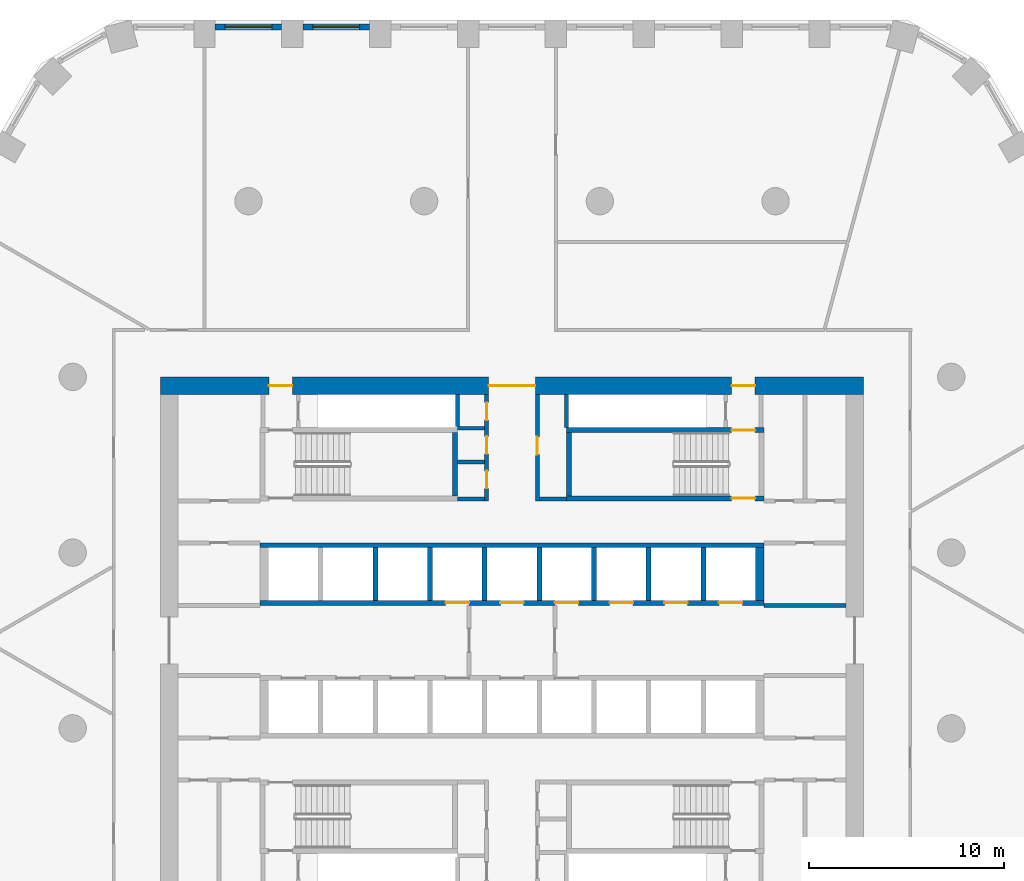
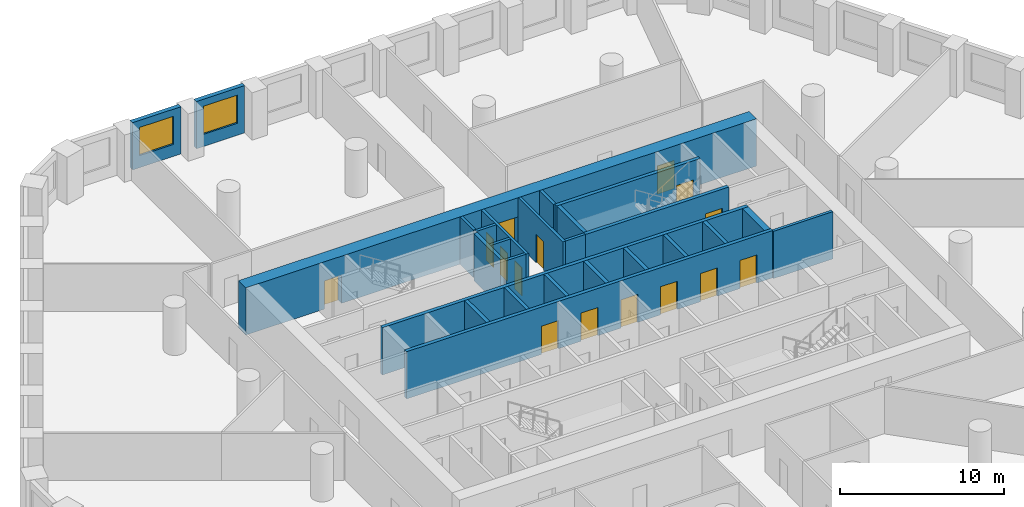
# One storey, part 6 of 10: 26 walls, 15 doors, 2 windows, 17 openings.
"""IFC4 building model written with IfcOpenShell, lengths in metres."""

from ifc_helpers import new_model, si_unit, direction, frame, frame_2d, origin, place, context, subcontext, project, spatial, polyline, rectangle, outline, extrude, material, layer, layer_set, type_object, element, fill, save


model = new_model("IFC4")

# Units and contexts
model_context = context("Model", 3, precision=1e-05, world=origin(), true_north=direction((0.0, 1.0)))
body_context = subcontext(model_context, "Body", "Model", "MODEL_VIEW")
ifc_project = project(units=[si_unit("LENGTHUNIT", "METRE"), si_unit("AREAUNIT", "SQUARE_METRE"), si_unit("VOLUMEUNIT", "CUBIC_METRE"), si_unit("PLANEANGLEUNIT", "RADIAN"), si_unit("MASSUNIT", "GRAM", prefix="KILO")], contexts=[model_context])

# Site, building, storey
site_placement = place(None, origin())
site = spatial("IfcSite", under=ifc_project, at=site_placement, CompositionType="ELEMENT")
building_placement = place(site_placement, origin())
building = spatial("IfcBuilding", under=site, at=building_placement, Name="Dhurran Vertical Campus", CompositionType="ELEMENT")
storey_placement = place(building_placement, frame((0.0, 0.0, 41.699951171875)))
storey = spatial("IfcBuildingStorey", under=building, at=storey_placement, Name="L09", CompositionType="ELEMENT", Elevation=41.699951171875)

# Wall, opening, window
ifc_material_1 = material(Name="Precast concrete C50/60", Category="concrete")
ifc_layer_1 = layer(ifc_material_1, 0.300048828125)
ifc_layer_set_1 = layer_set([ifc_layer_1], Name="Precast concrete C50/60")
wall_type_1 = type_object("IfcWallType", Name="Precast spandrel wall 300", PredefinedType="SOLIDWALL", material=ifc_layer_set_1)
wall_1_placement = place(storey_placement, frame((-7.300537109375, 31.4296875, 0.0), z_axis=(0.0, 0.0, 1.0), x_axis=(-1.0, 0.0, 0.0)))
wall_1 = element("IfcWall", 1, at=wall_1_placement, inside=storey, type_object=wall_type_1, Name="EW1 L09.32", PredefinedType="SOLIDWALL", context=body_context, shape_type="SweptSolid", body=[
    extrude(rectangle(XDim=3.39892578125, YDim=0.300048828125, at=frame_2d((1.699462890625, 0.0))), origin(), (0.0, 0.0, 1.0), 3.525146484375),
])
opening_1_placement = place(wall_1_placement, frame((0.49951171875, 0.0, 0.89990234375)))
opening_1 = element("IfcOpeningElement", 2, at=opening_1_placement, cuts=wall_1, Name="Opening WT1", PredefinedType="OPENING", context=body_context, shape_type="SweptSolid", body=[
    extrude(rectangle(XDim=2.39990234375, YDim=2.10009765625, at=frame_2d((1.199951171875, 1.050048828125))), frame((0.0, 0.159912109375, 0.0), z_axis=(0.0, -1.0, 0.0), x_axis=(1.0, 0.0, 0.0)), (0.0, 0.0, 1.0), 0.320068359375),
])
ifc_material_2 = material(Name="Aluminium frame with solar-control glass", Category="aluminium")
window_type = type_object("IfcWindowType", Name="Punched window 2400 x 2100", PartitioningType="SINGLE_PANEL", PredefinedType="WINDOW", material=ifc_material_2)
window_1_placement = place(opening_1_placement, origin())
window_1 = element("IfcWindow", 3, at=window_1_placement, inside=storey, type_object=window_type, Name="WT1 L09.32", OverallHeight=2.10009765625, OverallWidth=2.39990234375, PartitioningType="SINGLE_PANEL", PredefinedType="WINDOW", context=body_context, shape_type="SweptSolid", body=[
    extrude(rectangle(XDim=2.39990234375, YDim=2.10009765625, at=frame_2d((1.199951171875, 1.050048828125))), frame((0.0, 0.030029296875, 0.0), z_axis=(0.0, -1.0, 0.0), x_axis=(1.0, 0.0, 0.0)), (0.0, 0.0, 1.0), 0.06005859375),
])
fill(opening_1, window_1)

wall_2_placement = place(storey_placement, frame((-11.800537109375, 31.4296875, 0.0), z_axis=(0.0, 0.0, 1.0), x_axis=(-1.0, 0.0, 0.0)))
wall_2 = element("IfcWall", 4, at=wall_2_placement, inside=storey, type_object=wall_type_1, Name="EW1 L09.33", PredefinedType="SOLIDWALL", context=body_context, shape_type="SweptSolid", body=[
    extrude(rectangle(XDim=3.39892578125, YDim=0.300048828125, at=frame_2d((1.699462890625, 0.0))), origin(), (0.0, 0.0, 1.0), 3.525146484375),
])
opening_2_placement = place(wall_2_placement, frame((0.49951171875, 0.0, 0.89990234375)))
opening_2 = element("IfcOpeningElement", 5, at=opening_2_placement, cuts=wall_2, Name="Opening WT1", PredefinedType="OPENING", context=body_context, shape_type="SweptSolid", body=[
    extrude(rectangle(XDim=2.39990234375, YDim=2.10009765625, at=frame_2d((1.199951171875, 1.050048828125))), frame((0.0, 0.159912109375, 0.0), z_axis=(0.0, -1.0, 0.0), x_axis=(1.0, 0.0, 0.0)), (0.0, 0.0, 1.0), 0.320068359375),
])
window_2_placement = place(opening_2_placement, origin())
window_2 = element("IfcWindow", 6, at=window_2_placement, inside=storey, type_object=window_type, Name="WT1 L09.33", OverallHeight=2.10009765625, OverallWidth=2.39990234375, PartitioningType="SINGLE_PANEL", PredefinedType="WINDOW", context=body_context, shape_type="SweptSolid", body=[
    extrude(rectangle(XDim=2.39990234375, YDim=2.10009765625, at=frame_2d((1.199951171875, 1.050048828125))), frame((0.0, 0.030029296875, 0.0), z_axis=(0.0, -1.0, 0.0), x_axis=(1.0, 0.0, 0.0)), (0.0, 0.0, 1.0), 0.06005859375),
])
fill(opening_2, window_2)

# Wall, openings, doors
ifc_material_3 = material(Name="Concrete C60/75", Category="concrete")
ifc_layer_2 = layer(ifc_material_3, 0.89990234375)
ifc_layer_set_2 = layer_set([ifc_layer_2], Name="Concrete C60/75")
wall_type_2 = type_object("IfcWallType", Name="co-CORE-WALL-C0-900", PredefinedType="SHEAR", material=ifc_layer_set_2)
wall_3_placement = place(storey_placement, frame((-18.0, 13.050048828125, 0.0), z_axis=(0.0, 0.0, 1.0), x_axis=(1.0, 0.0, 0.0)))
wall_3 = element("IfcWall", 7, at=wall_3_placement, inside=storey, type_object=wall_type_2, Name="Core wall N L09", PredefinedType="SHEAR", context=body_context, shape_type="SweptSolid", body=[
    extrude(rectangle(XDim=36.0, YDim=0.89990234375, at=frame_2d((18.0, 0.0))), origin(), (0.0, 0.0, 1.0), 3.525146484375),
])
opening_3_placement = place(wall_3_placement, frame((16.800048828125, 0.0, 0.0)))
opening_3 = element("IfcOpeningElement", 8, at=opening_3_placement, cuts=wall_3, Name="Opening CV1", PredefinedType="OPENING", context=body_context, shape_type="SweptSolid", body=[
    extrude(rectangle(XDim=2.39990234375, YDim=2.10009765625, at=frame_2d((1.199951171875, 1.050048828125))), frame((0.0, 0.4599609375, 0.0), z_axis=(0.0, -1.0, 0.0), x_axis=(1.0, 0.0, 0.0)), (0.0, 0.0, 1.0), 0.919921875),
])
opening_4_placement = place(wall_3_placement, frame((5.550048828125, 0.0, 0.0)))
opening_4 = element("IfcOpeningElement", 9, at=opening_4_placement, cuts=wall_3, Name="Opening XD1", PredefinedType="OPENING", context=body_context, shape_type="SweptSolid", body=[
    extrude(rectangle(XDim=1.199951171875, YDim=2.10009765625, at=frame_2d((0.60009765625, 1.050048828125))), frame((0.0, 0.4599609375, 0.0), z_axis=(0.0, -1.0, 0.0), x_axis=(1.0, 0.0, 0.0)), (0.0, 0.0, 1.0), 0.919921875),
])
opening_5_placement = place(wall_3_placement, frame((29.25, 0.0, 0.0)))
opening_5 = element("IfcOpeningElement", 10, at=opening_5_placement, cuts=wall_3, Name="Opening XD2", PredefinedType="OPENING", context=body_context, shape_type="SweptSolid", body=[
    extrude(rectangle(XDim=1.199951171875, YDim=2.10009765625, at=frame_2d((0.60009765625, 1.050048828125))), frame((0.0, 0.4599609375, 0.0), z_axis=(0.0, -1.0, 0.0), x_axis=(1.0, 0.0, 0.0)), (0.0, 0.0, 1.0), 0.919921875),
])
ifc_material_4 = material(Name="Fire-rated glazed door set")
door_type_1 = type_object("IfcDoorType", Name="co-D-LOBBY 2400x2100", OperationType="DOUBLE_DOOR_DOUBLE_SWING", PredefinedType="DOOR", material=ifc_material_4)
door_1_placement = place(opening_3_placement, origin())
door_1 = element("IfcDoor", 11, at=door_1_placement, inside=storey, type_object=door_type_1, Name="Core vestibule door N L09", OperationType="DOUBLE_DOOR_DOUBLE_SWING", OverallHeight=2.10009765625, OverallWidth=2.39990234375, PredefinedType="DOOR", context=body_context, shape_type="SweptSolid", body=[
    extrude(rectangle(XDim=2.39990234375, YDim=2.10009765625, at=frame_2d((1.199951171875, 1.050048828125))), frame((0.0, 0.02490234375, 0.0), z_axis=(0.0, -1.0, 0.0), x_axis=(1.0, 0.0, 0.0)), (0.0, 0.0, 1.0), 0.050048828125),
])
fill(opening_3, door_1)
ifc_material_5 = material(Name="Fire-rated steel door set", Category="steel")
door_type_2 = type_object("IfcDoorType", Name="co-D-STAIR-EXIT 1200x2100", OperationType="SINGLE_SWING_RIGHT", PredefinedType="DOOR", material=ifc_material_5)
door_2_placement = place(opening_4_placement, origin())
door_2 = element("IfcDoor", 12, at=door_2_placement, inside=storey, type_object=door_type_2, Name="Stair ST1 exit door L09", OperationType="SINGLE_SWING_RIGHT", OverallHeight=2.10009765625, OverallWidth=1.199951171875, PredefinedType="DOOR", context=body_context, shape_type="SweptSolid", body=[
    extrude(rectangle(XDim=1.199951171875, YDim=2.10009765625, at=frame_2d((0.60009765625, 1.050048828125))), frame((0.0, 0.02490234375, 0.0), z_axis=(0.0, -1.0, 0.0), x_axis=(1.0, 0.0, 0.0)), (0.0, 0.0, 1.0), 0.050048828125),
])
fill(opening_4, door_2)
door_3_placement = place(opening_5_placement, origin())
door_3 = element("IfcDoor", 13, at=door_3_placement, inside=storey, type_object=door_type_2, Name="Stair ST2 exit door L09", OperationType="SINGLE_SWING_RIGHT", OverallHeight=2.10009765625, OverallWidth=1.199951171875, PredefinedType="DOOR", context=body_context, shape_type="SweptSolid", body=[
    extrude(rectangle(XDim=1.199951171875, YDim=2.10009765625, at=frame_2d((0.60009765625, 1.050048828125))), frame((0.0, 0.02490234375, 0.0), z_axis=(0.0, -1.0, 0.0), x_axis=(1.0, 0.0, 0.0)), (0.0, 0.0, 1.0), 0.050048828125),
])
fill(opening_5, door_3)

# Walls
ifc_material_6 = material(Name="Fire-rated masonry blockwork", Category="masonry")
ifc_layer_3 = layer(ifc_material_6, 0.199951171875)
ifc_layer_set_3 = layer_set([ifc_layer_3], Name="Fire-rated masonry blockwork")
wall_type_3 = type_object("IfcWallType", Name="co-FIRE-PARTITION-200", PredefinedType="PARTITIONING", material=ifc_layer_set_3)
for number, where, z_axis, x_axis, name in (
    (14, (-2.800048828125, 7.25, 0.0), (0.0, 0.0, 1.0), (1.0, 0.0, 0.0), "Core partition sl-NW-S L09"),
    (15, (-2.800048828125, 9.135009765625, 0.0), (0.0, 0.0, 1.0), (1.0, 0.0, 0.0), "Core partition sl-NW-cut0 L09"),
    (16, (-2.800048828125, 10.867431640625, 0.0), (0.0, 0.0, 1.0), (1.0, 0.0, 0.0), "Core partition sl-NW-cut1 L09"),
    (17, (1.39990234375, 7.25, 0.0), (0.0, 0.0, 1.0), (1.0, 0.0, 0.0), "Core partition sl-NE-S L09"),
):
    element("IfcWall", number, at=place(storey_placement, frame(where, z_axis=z_axis, x_axis=x_axis)), inside=storey, type_object=wall_type_3, Name=name, PredefinedType="PARTITIONING", context=body_context, shape_type="SweptSolid", body=[
        extrude(rectangle(XDim=1.400146484375, YDim=0.199951171875, at=frame_2d((0.7001953125, 0.0))), origin(), (0.0, 0.0, 1.0), 3.525146484375),
    ])

# Wall, openings, doors
wall_4_placement = place(storey_placement, frame((-1.300048828125, 7.14990234375, 0.0), z_axis=(0.0, 0.0, 1.0), x_axis=(0.0, 1.0, 0.0)))
wall_4 = element("IfcWall", 18, at=wall_4_placement, inside=storey, type_object=wall_type_3, Name="Core partition vest-NW L09", PredefinedType="PARTITIONING", context=body_context, shape_type="SweptSolid", body=[
    extrude(rectangle(XDim=5.4501953125, YDim=0.199951171875, at=frame_2d((2.72509765625, 0.0))), origin(), (0.0, 0.0, 1.0), 3.525146484375),
])
opening_6_placement = place(wall_4_placement, frame((0.642578125, 0.0, 0.0)))
opening_6 = element("IfcOpeningElement", 19, at=opening_6_placement, cuts=wall_4, Name="Opening T02-C6", PredefinedType="OPENING", context=body_context, shape_type="SweptSolid", body=[
    extrude(rectangle(XDim=0.89990234375, YDim=2.10009765625, at=frame_2d((0.449951171875, 1.050048828125))), frame((0.0, 0.10986328125, 0.0), z_axis=(0.0, -1.0, 0.0), x_axis=(1.0, 0.0, 0.0)), (0.0, 0.0, 1.0), 0.219970703125),
])
opening_7_placement = place(wall_4_placement, frame((2.401123046875, 0.0, 0.0)))
opening_7 = element("IfcOpeningElement", 20, at=opening_7_placement, cuts=wall_4, Name="Opening T02-C7", PredefinedType="OPENING", context=body_context, shape_type="SweptSolid", body=[
    extrude(rectangle(XDim=0.89990234375, YDim=2.10009765625, at=frame_2d((0.449951171875, 1.050048828125))), frame((0.0, 0.10986328125, 0.0), z_axis=(0.0, -1.0, 0.0), x_axis=(1.0, 0.0, 0.0)), (0.0, 0.0, 1.0), 0.219970703125),
])
opening_8_placement = place(wall_4_placement, frame((4.1337890625, 0.0, 0.0)))
opening_8 = element("IfcOpeningElement", 21, at=opening_8_placement, cuts=wall_4, Name="Opening T02-C8", PredefinedType="OPENING", context=body_context, shape_type="SweptSolid", body=[
    extrude(rectangle(XDim=0.89990234375, YDim=2.10009765625, at=frame_2d((0.449951171875, 1.050048828125))), frame((0.0, 0.10986328125, 0.0), z_axis=(0.0, -1.0, 0.0), x_axis=(1.0, 0.0, 0.0)), (0.0, 0.0, 1.0), 0.219970703125),
])
ifc_material_7 = material(Name="Fire-rated timber door set", Category="wood")
door_type_3 = type_object("IfcDoorType", Name="co-D-ROOM 900x2100", OperationType="SINGLE_SWING_LEFT", PredefinedType="DOOR", material=ifc_material_7)
door_4_placement = place(opening_6_placement, origin())
door_4 = element("IfcDoor", 22, at=door_4_placement, inside=storey, type_object=door_type_3, Name="Waste room door L09", OperationType="SINGLE_SWING_LEFT", OverallHeight=2.10009765625, OverallWidth=0.89990234375, PredefinedType="DOOR", context=body_context, shape_type="SweptSolid", body=[
    extrude(rectangle(XDim=0.89990234375, YDim=2.10009765625, at=frame_2d((0.449951171875, 1.050048828125))), frame((0.0, 0.02490234375, 0.0), z_axis=(0.0, -1.0, 0.0), x_axis=(1.0, 0.0, 0.0)), (0.0, 0.0, 1.0), 0.050048828125),
])
fill(opening_6, door_4)
door_5_placement = place(opening_7_placement, origin())
door_5 = element("IfcDoor", 23, at=door_5_placement, inside=storey, type_object=door_type_3, Name="Pantry door L09", OperationType="SINGLE_SWING_LEFT", OverallHeight=2.10009765625, OverallWidth=0.89990234375, PredefinedType="DOOR", context=body_context, shape_type="SweptSolid", body=[
    extrude(rectangle(XDim=0.89990234375, YDim=2.10009765625, at=frame_2d((0.449951171875, 1.050048828125))), frame((0.0, 0.02490234375, 0.0), z_axis=(0.0, -1.0, 0.0), x_axis=(1.0, 0.0, 0.0)), (0.0, 0.0, 1.0), 0.050048828125),
])
fill(opening_7, door_5)
door_6_placement = place(opening_8_placement, origin())
door_6 = element("IfcDoor", 24, at=door_6_placement, inside=storey, type_object=door_type_3, Name="Cleaner's store door L09", OperationType="SINGLE_SWING_LEFT", OverallHeight=2.10009765625, OverallWidth=0.89990234375, PredefinedType="DOOR", context=body_context, shape_type="SweptSolid", body=[
    extrude(rectangle(XDim=0.89990234375, YDim=2.10009765625, at=frame_2d((0.449951171875, 1.050048828125))), frame((0.0, 0.02490234375, 0.0), z_axis=(0.0, -1.0, 0.0), x_axis=(1.0, 0.0, 0.0)), (0.0, 0.0, 1.0), 0.050048828125),
])
fill(opening_8, door_6)

# Wall, opening, door
wall_5_placement = place(storey_placement, frame((1.300048828125, 7.14990234375, 0.0), z_axis=(0.0, 0.0, 1.0), x_axis=(0.0, 1.0, 0.0)))
wall_5 = element("IfcWall", 25, at=wall_5_placement, inside=storey, type_object=wall_type_3, Name="Core partition vest-NE L09", PredefinedType="PARTITIONING", context=body_context, shape_type="SweptSolid", body=[
    extrude(rectangle(XDim=5.4501953125, YDim=0.199951171875, at=frame_2d((2.72509765625, 0.0))), origin(), (0.0, 0.0, 1.0), 3.525146484375),
])
opening_9_placement = place(wall_5_placement, frame((2.375, 0.0, 0.0)))
opening_9 = element("IfcOpeningElement", 26, at=opening_9_placement, cuts=wall_5, Name="Opening T02-C9", PredefinedType="OPENING", context=body_context, shape_type="SweptSolid", body=[
    extrude(rectangle(XDim=0.89990234375, YDim=2.10009765625, at=frame_2d((0.449951171875, 1.050048828125))), frame((0.0, 0.10986328125, 0.0), z_axis=(0.0, -1.0, 0.0), x_axis=(1.0, 0.0, 0.0)), (0.0, 0.0, 1.0), 0.219970703125),
])
door_7_placement = place(opening_9_placement, origin())
door_7 = element("IfcDoor", 27, at=door_7_placement, inside=storey, type_object=door_type_3, Name="Fire equipment store door L09", OperationType="SINGLE_SWING_LEFT", OverallHeight=2.10009765625, OverallWidth=0.89990234375, PredefinedType="DOOR", context=body_context, shape_type="SweptSolid", body=[
    extrude(rectangle(XDim=0.89990234375, YDim=2.10009765625, at=frame_2d((0.449951171875, 1.050048828125))), frame((0.0, 0.02490234375, 0.0), z_axis=(0.0, -1.0, 0.0), x_axis=(1.0, 0.0, 0.0)), (0.0, 0.0, 1.0), 0.050048828125),
])
fill(opening_9, door_7)

# Walls
wall_6_placement = place(storey_placement, frame((12.89990234375, 1.800048828125, 0.0), z_axis=(0.0, 0.0, 1.0), x_axis=(1.0, 0.0, 0.0)))
element("IfcWall", 28, at=wall_6_placement, inside=storey, type_object=wall_type_3, Name="Core partition es-NE-l L09", PredefinedType="PARTITIONING", context=body_context, shape_type="SweptSolid", body=[
    extrude(rectangle(XDim=4.2001953125, YDim=0.199951171875, at=frame_2d((2.10009765625, 0.0))), origin(), (0.0, 0.0, 1.0), 3.525146484375),
])
wall_7_placement = place(storey_placement, frame((-2.800048828125, 10.968505859375, 0.0), z_axis=(0.0, 0.0, 1.0), x_axis=(0.0, 1.0, 0.0)))
element("IfcWall", 29, at=wall_7_placement, inside=storey, type_object=wall_type_3, Name="Riser enclosure wall L09", PredefinedType="PARTITIONING", context=body_context, shape_type="SweptSolid", body=[
    extrude(rectangle(XDim=1.630615234375, YDim=0.199951171875, at=frame_2d((0.8154296875, 0.0))), origin(), (0.0, 0.0, 1.0), 3.525146484375),
])
wall_8_placement = place(storey_placement, frame((2.800048828125, 12.59912109375, 0.0), z_axis=(0.0, 0.0, 1.0), x_axis=(0.0, -1.0, 0.0)))
element("IfcWall", 30, at=wall_8_placement, inside=storey, type_object=wall_type_3, Name="Riser enclosure wall L09", PredefinedType="PARTITIONING", context=body_context, shape_type="SweptSolid", body=[
    extrude(rectangle(XDim=1.6982421875, YDim=0.199951171875, at=frame_2d((0.84912109375, 0.0))), origin(), (0.0, 0.0, 1.0), 3.525146484375),
])

# Wall, openings, doors
ifc_material_8 = material(Name="Concrete C50/60", Category="concrete")
ifc_layer_4 = layer(ifc_material_8, 0.25)
ifc_layer_set_4 = layer_set([ifc_layer_4], Name="Concrete C50/60")
wall_type_4 = type_object("IfcWallType", Name="co-SHAFT-FRONT-250", PredefinedType="SHEAR", material=ifc_layer_set_4)
wall_9_placement = place(storey_placement, frame((-12.89990234375, 1.925048828125, 0.0), z_axis=(0.0, 0.0, 1.0), x_axis=(1.0, 0.0, 0.0)))
wall_9 = element("IfcWall", 31, at=wall_9_placement, inside=storey, type_object=wall_type_4, Name="Lift landing wall N L09", PredefinedType="SHEAR", context=body_context, shape_type="SweptSolid", body=[
    extrude(rectangle(XDim=25.7998046875, YDim=0.25, at=frame_2d((12.89990234375, 0.0))), origin(), (0.0, 0.0, 1.0), 3.525146484375),
])
opening_10_placement = place(wall_9_placement, frame((9.5, 0.0, 0.0)))
opening_10 = element("IfcOpeningElement", 32, at=opening_10_placement, cuts=wall_9, Name="Opening LD", PredefinedType="OPENING", context=body_context, shape_type="SweptSolid", body=[
    extrude(rectangle(XDim=1.199951171875, YDim=2.10009765625, at=frame_2d((0.60009765625, 1.050048828125))), frame((0.0, 0.135009765625, 0.0), z_axis=(0.0, -1.0, 0.0), x_axis=(1.0, 0.0, 0.0)), (0.0, 0.0, 1.0), 0.27001953125),
])
opening_11_placement = place(wall_9_placement, frame((12.300048828125, 0.0, 0.0)))
opening_11 = element("IfcOpeningElement", 33, at=opening_11_placement, cuts=wall_9, Name="Opening LD", PredefinedType="OPENING", context=body_context, shape_type="SweptSolid", body=[
    extrude(rectangle(XDim=1.199951171875, YDim=2.10009765625, at=frame_2d((0.60009765625, 1.050048828125))), frame((0.0, 0.135009765625, 0.0), z_axis=(0.0, -1.0, 0.0), x_axis=(1.0, 0.0, 0.0)), (0.0, 0.0, 1.0), 0.27001953125),
])
opening_12_placement = place(wall_9_placement, frame((15.10009765625, 0.0, 0.0)))
opening_12 = element("IfcOpeningElement", 34, at=opening_12_placement, cuts=wall_9, Name="Opening LD", PredefinedType="OPENING", context=body_context, shape_type="SweptSolid", body=[
    extrude(rectangle(XDim=1.199951171875, YDim=2.10009765625, at=frame_2d((0.60009765625, 1.050048828125))), frame((0.0, 0.135009765625, 0.0), z_axis=(0.0, -1.0, 0.0), x_axis=(1.0, 0.0, 0.0)), (0.0, 0.0, 1.0), 0.27001953125),
])
opening_13_placement = place(wall_9_placement, frame((17.89990234375, 0.0, 0.0)))
opening_13 = element("IfcOpeningElement", 35, at=opening_13_placement, cuts=wall_9, Name="Opening LD", PredefinedType="OPENING", context=body_context, shape_type="SweptSolid", body=[
    extrude(rectangle(XDim=1.199951171875, YDim=2.10009765625, at=frame_2d((0.60009765625, 1.050048828125))), frame((0.0, 0.135009765625, 0.0), z_axis=(0.0, -1.0, 0.0), x_axis=(1.0, 0.0, 0.0)), (0.0, 0.0, 1.0), 0.27001953125),
])
opening_14_placement = place(wall_9_placement, frame((20.699951171875, 0.0, 0.0)))
opening_14 = element("IfcOpeningElement", 36, at=opening_14_placement, cuts=wall_9, Name="Opening LD", PredefinedType="OPENING", context=body_context, shape_type="SweptSolid", body=[
    extrude(rectangle(XDim=1.199951171875, YDim=2.10009765625, at=frame_2d((0.60009765625, 1.050048828125))), frame((0.0, 0.135009765625, 0.0), z_axis=(0.0, -1.0, 0.0), x_axis=(1.0, 0.0, 0.0)), (0.0, 0.0, 1.0), 0.27001953125),
])
opening_15_placement = place(wall_9_placement, frame((23.5, 0.0, 0.0)))
opening_15 = element("IfcOpeningElement", 37, at=opening_15_placement, cuts=wall_9, Name="Opening LD", PredefinedType="OPENING", context=body_context, shape_type="SweptSolid", body=[
    extrude(rectangle(XDim=1.199951171875, YDim=2.10009765625, at=frame_2d((0.60009765625, 1.050048828125))), frame((0.0, 0.135009765625, 0.0), z_axis=(0.0, -1.0, 0.0), x_axis=(1.0, 0.0, 0.0)), (0.0, 0.0, 1.0), 0.27001953125),
])
ifc_material_9 = material(Name="Stainless steel landing door", Category="steel")
door_type_4 = type_object("IfcDoorType", Name="co-D-LANDING 1200x2100", OperationType="DOUBLE_DOOR_SLIDING", PredefinedType="DOOR", material=ifc_material_9)
door_8_placement = place(opening_10_placement, origin())
door_8 = element("IfcDoor", 38, at=door_8_placement, inside=storey, type_object=door_type_4, Name="Landing door LR1 L09", OperationType="DOUBLE_DOOR_SLIDING", OverallHeight=2.10009765625, OverallWidth=1.199951171875, PredefinedType="DOOR", context=body_context, shape_type="SweptSolid", body=[
    extrude(rectangle(XDim=1.199951171875, YDim=2.10009765625, at=frame_2d((0.60009765625, 1.050048828125))), frame((0.0, 0.02490234375, 0.0), z_axis=(0.0, -1.0, 0.0), x_axis=(1.0, 0.0, 0.0)), (0.0, 0.0, 1.0), 0.050048828125),
])
fill(opening_10, door_8)
door_9_placement = place(opening_11_placement, origin())
door_9 = element("IfcDoor", 39, at=door_9_placement, inside=storey, type_object=door_type_4, Name="Landing door FF1 L09", OperationType="DOUBLE_DOOR_SLIDING", OverallHeight=2.10009765625, OverallWidth=1.199951171875, PredefinedType="DOOR", context=body_context, shape_type="SweptSolid", body=[
    extrude(rectangle(XDim=1.199951171875, YDim=2.10009765625, at=frame_2d((0.60009765625, 1.050048828125))), frame((0.0, 0.02490234375, 0.0), z_axis=(0.0, -1.0, 0.0), x_axis=(1.0, 0.0, 0.0)), (0.0, 0.0, 1.0), 0.050048828125),
])
fill(opening_11, door_9)
door_10_placement = place(opening_12_placement, origin())
door_10 = element("IfcDoor", 40, at=door_10_placement, inside=storey, type_object=door_type_4, Name="Landing door LR2 L09", OperationType="DOUBLE_DOOR_SLIDING", OverallHeight=2.10009765625, OverallWidth=1.199951171875, PredefinedType="DOOR", context=body_context, shape_type="SweptSolid", body=[
    extrude(rectangle(XDim=1.199951171875, YDim=2.10009765625, at=frame_2d((0.60009765625, 1.050048828125))), frame((0.0, 0.02490234375, 0.0), z_axis=(0.0, -1.0, 0.0), x_axis=(1.0, 0.0, 0.0)), (0.0, 0.0, 1.0), 0.050048828125),
])
fill(opening_12, door_10)
door_11_placement = place(opening_13_placement, origin())
door_11 = element("IfcDoor", 41, at=door_11_placement, inside=storey, type_object=door_type_4, Name="Landing door LR3 L09", OperationType="DOUBLE_DOOR_SLIDING", OverallHeight=2.10009765625, OverallWidth=1.199951171875, PredefinedType="DOOR", context=body_context, shape_type="SweptSolid", body=[
    extrude(rectangle(XDim=1.199951171875, YDim=2.10009765625, at=frame_2d((0.60009765625, 1.050048828125))), frame((0.0, 0.02490234375, 0.0), z_axis=(0.0, -1.0, 0.0), x_axis=(1.0, 0.0, 0.0)), (0.0, 0.0, 1.0), 0.050048828125),
])
fill(opening_13, door_11)
door_12_placement = place(opening_14_placement, origin())
door_12 = element("IfcDoor", 42, at=door_12_placement, inside=storey, type_object=door_type_4, Name="Landing door LR4 L09", OperationType="DOUBLE_DOOR_SLIDING", OverallHeight=2.10009765625, OverallWidth=1.199951171875, PredefinedType="DOOR", context=body_context, shape_type="SweptSolid", body=[
    extrude(rectangle(XDim=1.199951171875, YDim=2.10009765625, at=frame_2d((0.60009765625, 1.050048828125))), frame((0.0, 0.02490234375, 0.0), z_axis=(0.0, -1.0, 0.0), x_axis=(1.0, 0.0, 0.0)), (0.0, 0.0, 1.0), 0.050048828125),
])
fill(opening_14, door_12)
door_13_placement = place(opening_15_placement, origin())
door_13 = element("IfcDoor", 43, at=door_13_placement, inside=storey, type_object=door_type_4, Name="Landing door SV2 L09", OperationType="DOUBLE_DOOR_SLIDING", OverallHeight=2.10009765625, OverallWidth=1.199951171875, PredefinedType="DOOR", context=body_context, shape_type="SweptSolid", body=[
    extrude(rectangle(XDim=1.199951171875, YDim=2.10009765625, at=frame_2d((0.60009765625, 1.050048828125))), frame((0.0, 0.02490234375, 0.0), z_axis=(0.0, -1.0, 0.0), x_axis=(1.0, 0.0, 0.0)), (0.0, 0.0, 1.0), 0.050048828125),
])
fill(opening_15, door_13)

# Walls
ifc_material_10 = material(Name="Concrete C50/60", Category="concrete")
ifc_layer_5 = layer(ifc_material_10, 0.25)
ifc_layer_set_5 = layer_set([ifc_layer_5], Name="Concrete C50/60")
wall_type_5 = type_object("IfcWallType", Name="co-SHAFT-MASS-250", PredefinedType="SHEAR", material=ifc_layer_set_5)
wall_10_placement = place(storey_placement, origin())
element("IfcWall", 44, at=wall_10_placement, inside=storey, type_object=wall_type_5, Name="Lift shaft wall N L09 1", PredefinedType="SHEAR", context=body_context, shape_type="SweptSolid", body=[
    extrude(outline(polyline([(-12.89990234375, 4.75), (12.89990234375, 4.75), (12.89990234375, 5.0), (-12.89990234375, 5.0), (-12.89990234375, 4.75)])), origin(), (0.0, 0.0, 1.0), 3.525146484375),
])
wall_11_placement = place(storey_placement, origin())
element("IfcWall", 45, at=wall_11_placement, inside=storey, type_object=wall_type_5, Name="Lift shaft wall N L09 4", PredefinedType="SHEAR", context=body_context, shape_type="SweptSolid", body=[
    extrude(outline(polyline([(-7.125, 2.050048828125), (-6.875, 2.050048828125), (-6.875, 4.75), (-7.125, 4.75), (-7.125, 2.050048828125)])), origin(), (0.0, 0.0, 1.0), 3.525146484375),
])
wall_12_placement = place(storey_placement, origin())
element("IfcWall", 46, at=wall_12_placement, inside=storey, type_object=wall_type_5, Name="Lift shaft wall N L09 5", PredefinedType="SHEAR", context=body_context, shape_type="SweptSolid", body=[
    extrude(outline(polyline([(-4.324951171875, 2.050048828125), (-4.074951171875, 2.050048828125), (-4.074951171875, 4.75), (-4.324951171875, 4.75), (-4.324951171875, 2.050048828125)])), origin(), (0.0, 0.0, 1.0), 3.525146484375),
])
wall_13_placement = place(storey_placement, origin())
element("IfcWall", 47, at=wall_13_placement, inside=storey, type_object=wall_type_5, Name="Lift shaft wall N L09 6", PredefinedType="SHEAR", context=body_context, shape_type="SweptSolid", body=[
    extrude(outline(polyline([(-1.52490234375, 2.050048828125), (-1.27490234375, 2.050048828125), (-1.27490234375, 4.75), (-1.52490234375, 4.75), (-1.52490234375, 2.050048828125)])), origin(), (0.0, 0.0, 1.0), 3.525146484375),
])
wall_14_placement = place(storey_placement, origin())
element("IfcWall", 48, at=wall_14_placement, inside=storey, type_object=wall_type_5, Name="Lift shaft wall N L09 7", PredefinedType="SHEAR", context=body_context, shape_type="SweptSolid", body=[
    extrude(outline(polyline([(1.27490234375, 2.050048828125), (1.52490234375, 2.050048828125), (1.52490234375, 4.75), (1.27490234375, 4.75), (1.27490234375, 2.050048828125)])), origin(), (0.0, 0.0, 1.0), 3.525146484375),
])
wall_15_placement = place(storey_placement, origin())
element("IfcWall", 49, at=wall_15_placement, inside=storey, type_object=wall_type_5, Name="Lift shaft wall N L09 8", PredefinedType="SHEAR", context=body_context, shape_type="SweptSolid", body=[
    extrude(outline(polyline([(4.074951171875, 2.050048828125), (4.324951171875, 2.050048828125), (4.324951171875, 4.75), (4.074951171875, 4.75), (4.074951171875, 2.050048828125)])), origin(), (0.0, 0.0, 1.0), 3.525146484375),
])
wall_16_placement = place(storey_placement, origin())
element("IfcWall", 50, at=wall_16_placement, inside=storey, type_object=wall_type_5, Name="Lift shaft wall N L09 9", PredefinedType="SHEAR", context=body_context, shape_type="SweptSolid", body=[
    extrude(outline(polyline([(6.875, 2.050048828125), (7.125, 2.050048828125), (7.125, 4.75), (6.875, 4.75), (6.875, 2.050048828125)])), origin(), (0.0, 0.0, 1.0), 3.525146484375),
])
wall_17_placement = place(storey_placement, origin())
element("IfcWall", 51, at=wall_17_placement, inside=storey, type_object=wall_type_5, Name="Lift shaft wall N L09 10", PredefinedType="SHEAR", context=body_context, shape_type="SweptSolid", body=[
    extrude(outline(polyline([(9.675048828125, 2.050048828125), (9.925048828125, 2.050048828125), (9.925048828125, 4.75), (9.675048828125, 4.75), (9.675048828125, 2.050048828125)])), origin(), (0.0, 0.0, 1.0), 3.525146484375),
])
wall_18_placement = place(storey_placement, origin())
element("IfcWall", 52, at=wall_18_placement, inside=storey, type_object=wall_type_5, Name="Lift shaft wall N L09 11", PredefinedType="SHEAR", context=body_context, shape_type="SweptSolid", body=[
    extrude(outline(polyline([(12.47509765625, 2.050048828125), (12.89990234375, 2.050048828125), (12.89990234375, 4.75), (12.47509765625, 4.75), (12.47509765625, 2.050048828125)])), origin(), (0.0, 0.0, 1.0), 3.525146484375),
])
ifc_material_11 = material(Name="Concrete C40/50", Category="concrete")
ifc_layer_6 = layer(ifc_material_11, 0.25)
ifc_layer_set_6 = layer_set([ifc_layer_6], Name="Concrete C40/50")
wall_type_6 = type_object("IfcWallType", Name="co-STAIR-WALL-250", PredefinedType="SHEAR", material=ifc_layer_set_6)
wall_19_placement = place(storey_placement, frame((-2.925048828125, 7.39990234375, 0.0), z_axis=(0.0, 0.0, 1.0), x_axis=(0.0, 1.0, 0.0)))
element("IfcWall", 53, at=wall_19_placement, inside=storey, type_object=wall_type_6, Name="Stair ST1 enclosure wall L09", PredefinedType="SHEAR", context=body_context, shape_type="SweptSolid", body=[
    extrude(rectangle(XDim=3.25, YDim=0.25, at=frame_2d((1.625, 0.0))), origin(), (0.0, 0.0, 1.0), 3.525146484375),
])

# Wall, opening, door
wall_20_placement = place(storey_placement, frame((2.800048828125, 7.27490234375, 0.0), z_axis=(0.0, 0.0, 1.0), x_axis=(1.0, 0.0, 0.0)))
wall_20 = element("IfcWall", 54, at=wall_20_placement, inside=storey, type_object=wall_type_6, Name="Stair ST2 enclosure wall L09", PredefinedType="SHEAR", context=body_context, shape_type="SweptSolid", body=[
    extrude(rectangle(XDim=10.099853515625, YDim=0.25, at=frame_2d((5.0498046875, 0.0))), origin(), (0.0, 0.0, 1.0), 3.525146484375),
])
opening_16_placement = place(wall_20_placement, frame((8.449951171875, 0.0, 0.0)))
opening_16 = element("IfcOpeningElement", 55, at=opening_16_placement, cuts=wall_20, Name="Opening SD2", PredefinedType="OPENING", context=body_context, shape_type="SweptSolid", body=[
    extrude(rectangle(XDim=1.199951171875, YDim=2.10009765625, at=frame_2d((0.60009765625, 1.050048828125))), frame((0.0, 0.135009765625, 0.0), z_axis=(0.0, -1.0, 0.0), x_axis=(1.0, 0.0, 0.0)), (0.0, 0.0, 1.0), 0.27001953125),
])
ifc_material_12 = material(Name="Fire-rated steel door set", Category="steel")
door_type_5 = type_object("IfcDoorType", Name="co-D-STAIR 1200x2100", OperationType="SINGLE_SWING_LEFT", PredefinedType="DOOR", material=ifc_material_12)
door_14_placement = place(opening_16_placement, origin())
door_14 = element("IfcDoor", 56, at=door_14_placement, inside=storey, type_object=door_type_5, Name="Stair ST2 door L09", OperationType="SINGLE_SWING_LEFT", OverallHeight=2.10009765625, OverallWidth=1.199951171875, PredefinedType="DOOR", context=body_context, shape_type="SweptSolid", body=[
    extrude(rectangle(XDim=1.199951171875, YDim=2.10009765625, at=frame_2d((0.60009765625, 1.050048828125))), frame((0.0, 0.02490234375, 0.0), z_axis=(0.0, -1.0, 0.0), x_axis=(1.0, 0.0, 0.0)), (0.0, 0.0, 1.0), 0.050048828125),
])
fill(opening_16, door_14)

wall_21_placement = place(storey_placement, frame((2.800048828125, 10.77490234375, 0.0), z_axis=(0.0, 0.0, 1.0), x_axis=(1.0, 0.0, 0.0)))
wall_21 = element("IfcWall", 57, at=wall_21_placement, inside=storey, type_object=wall_type_6, Name="Stair ST2 enclosure wall L09", PredefinedType="SHEAR", context=body_context, shape_type="SweptSolid", body=[
    extrude(rectangle(XDim=10.099853515625, YDim=0.25, at=frame_2d((5.0498046875, 0.0))), origin(), (0.0, 0.0, 1.0), 3.525146484375),
])
opening_17_placement = place(wall_21_placement, frame((8.449951171875, 0.0, 0.0)))
opening_17 = element("IfcOpeningElement", 58, at=opening_17_placement, cuts=wall_21, Name="Opening XS2", PredefinedType="OPENING", context=body_context, shape_type="SweptSolid", body=[
    extrude(rectangle(XDim=1.199951171875, YDim=2.10009765625, at=frame_2d((0.60009765625, 1.050048828125))), frame((0.0, 0.135009765625, 0.0), z_axis=(0.0, -1.0, 0.0), x_axis=(1.0, 0.0, 0.0)), (0.0, 0.0, 1.0), 0.27001953125),
])
door_15_placement = place(opening_17_placement, origin())
door_15 = element("IfcDoor", 59, at=door_15_placement, inside=storey, type_object=door_type_2, Name="Stair ST2 discharge door L09", OperationType="SINGLE_SWING_RIGHT", OverallHeight=2.10009765625, OverallWidth=1.199951171875, PredefinedType="DOOR", context=body_context, shape_type="SweptSolid", body=[
    extrude(rectangle(XDim=1.199951171875, YDim=2.10009765625, at=frame_2d((0.60009765625, 1.050048828125))), frame((0.0, 0.02490234375, 0.0), z_axis=(0.0, -1.0, 0.0), x_axis=(1.0, 0.0, 0.0)), (0.0, 0.0, 1.0), 0.050048828125),
])
fill(opening_17, door_15)

# Wall
wall_22_placement = place(storey_placement, frame((2.925048828125, 7.39990234375, 0.0), z_axis=(0.0, 0.0, 1.0), x_axis=(0.0, 1.0, 0.0)))
element("IfcWall", 60, at=wall_22_placement, inside=storey, type_object=wall_type_6, Name="Stair ST2 enclosure wall L09", PredefinedType="SHEAR", context=body_context, shape_type="SweptSolid", body=[
    extrude(rectangle(XDim=3.25, YDim=0.25, at=frame_2d((1.625, 0.0))), origin(), (0.0, 0.0, 1.0), 3.525146484375),
])

save(model, "model.ifc")
